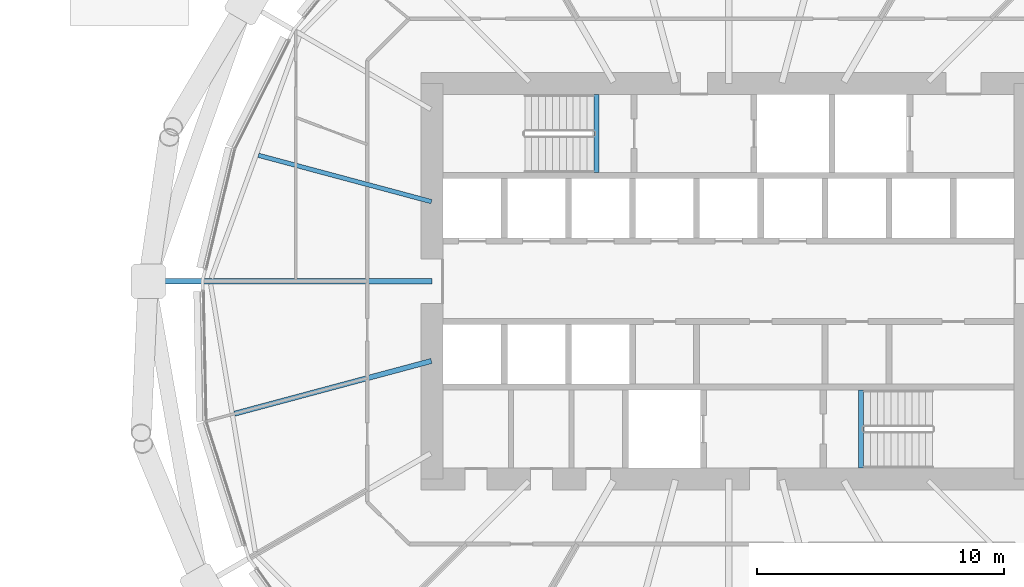
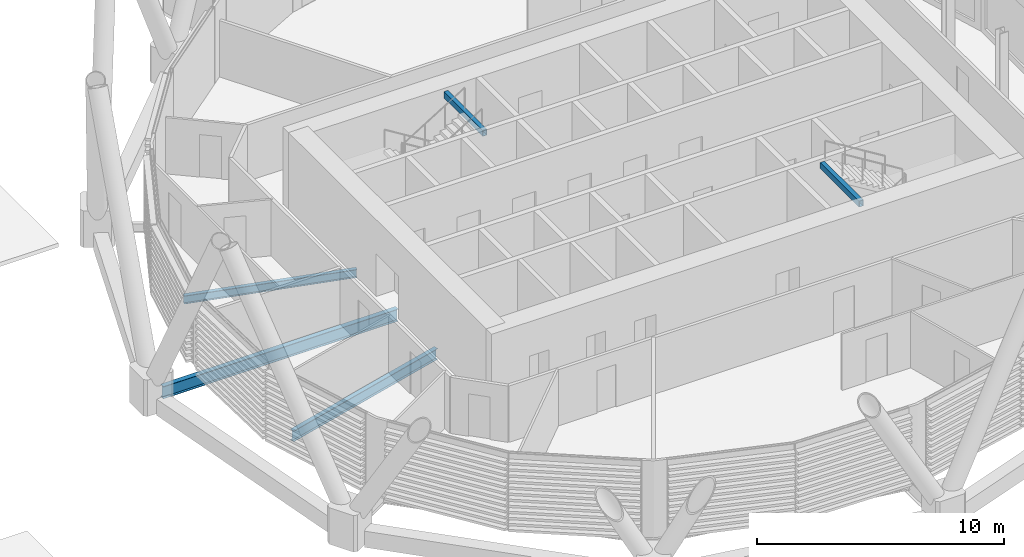
# One storey, part 16 of 34: 5 beams.
"""IFC4 building model written with IfcOpenShell, lengths in metres."""

from ifc_helpers import new_model, si_unit, direction, frame, origin, origin_2d, place, context, subcontext, project, spatial, hollow_rectangle, i_section, extrude, material, material_profile, profile_set, type_object, element, save


model = new_model("IFC4")

# Units and contexts
model_context = context("Model", 3, precision=1e-05, world=origin(), true_north=direction((0.0, 1.0)))
body_context = subcontext(model_context, "Body", "Model", "MODEL_VIEW")
ifc_project = project(units=[si_unit("LENGTHUNIT", "METRE"), si_unit("AREAUNIT", "SQUARE_METRE"), si_unit("VOLUMEUNIT", "CUBIC_METRE"), si_unit("PLANEANGLEUNIT", "RADIAN"), si_unit("MASSUNIT", "GRAM", prefix="KILO")], contexts=[model_context])

# Site, building, storey
site_placement = place(None, origin())
site = spatial("IfcSite", under=ifc_project, at=site_placement, CompositionType="ELEMENT")
building_placement = place(site_placement, origin())
building = spatial("IfcBuilding", under=site, at=building_placement, Name="Rimbun Link Towers", CompositionType="ELEMENT")
storey_placement = place(building_placement, frame((0.0, 0.0, 41.39990234375)))
storey = spatial("IfcBuildingStorey", under=building, at=storey_placement, Name="L09", CompositionType="ELEMENT", Elevation=41.39990234375)

# Beams
ifc_material_1 = material(Name="Steel S355J2", Category="steel")
ifc_material_profile_1 = material_profile(ifc_material_1, hollow_rectangle(XDim=0.199951171875, YDim=0.300048828125, WallThickness=0.011962890625, at=origin_2d()), Name="BOX 300x200x12")
ifc_profile_set_1 = profile_set([ifc_material_profile_1], Name="Steel S355J2")
beam_type_1 = type_object("IfcBeamType", Name="Stair trimmer beam BOX 300x200x12", PredefinedType="BEAM", material=ifc_profile_set_1)
for number, where, z_axis, x_axis, name in (
    (1, (26.39990234375, 7.550048828125, 3.489990234375), (0.0, -1.0, 0.0), (1.0, 0.0, 0.0), "L09 ST3 stair beam 1"),
    (2, (37.10009765625, -7.550048828125, 3.489990234375), (0.0, 1.0, 0.0), (-1.0, 0.0, 0.0), "L09 ST4 stair beam 1"),
):
    element("IfcBeam", number, at=place(storey_placement, frame(where, z_axis=z_axis, x_axis=x_axis)), inside=storey, type_object=beam_type_1, Name=name, PredefinedType="BEAM", context=body_context, shape_type="SweptSolid", body=[
        extrude(hollow_rectangle(XDim=0.199951171875, YDim=0.300048828125, WallThickness=0.011962890625, at=origin_2d()), origin(), (0.0, 0.0, 1.0), 3.150146484375),
    ])
ifc_material_2 = material(Name="Steel S355J2", Category="steel")
ifc_material_profile_2 = material_profile(ifc_material_2, i_section(OverallWidth=0.177978515625, OverallDepth=0.406494140625, WebThickness=0.0078125, FlangeThickness=0.0126953125, at=origin_2d()), Name="UB 406x178x60")
ifc_profile_set_2 = profile_set([ifc_material_profile_2], Name="Steel S355J2")
beam_type_2 = type_object("IfcBeamType", Name="UB 406x178x60", PredefinedType="BEAM", material=ifc_profile_set_2)
beam_1_placement = place(storey_placement, frame((19.72607421875, 3.2216796875, -0.363037109375), z_axis=(-0.965919925286, 0.258841066943, 0.0), x_axis=(-0.258841066943, -0.965919925286, 0.0)))
element("IfcBeam", 3, at=beam_1_placement, inside=storey, type_object=beam_type_2, Name="Radial beam T2 L09 08", PredefinedType="BEAM", context=body_context, shape_type="SweptSolid", body=[
    extrude(i_section(OverallWidth=0.177978515625, OverallDepth=0.406494140625, WebThickness=0.0078125, FlangeThickness=0.0126953125, at=origin_2d()), origin(), (0.0, 0.0, 1.0), 7.24560546875),
])
ifc_material_3 = material(Name="Steel S355J2", Category="steel")
ifc_material_profile_3 = material_profile(ifc_material_3, i_section(OverallWidth=0.209228515625, OverallDepth=0.533203125, WebThickness=0.010009765625, FlangeThickness=0.015625, at=origin_2d()), Name="UB 533x210x92")
ifc_profile_set_3 = profile_set([ifc_material_profile_3], Name="Steel S355J2")
beam_type_3 = type_object("IfcBeamType", Name="UB 533x210x92", PredefinedType="BEAM", material=ifc_profile_set_3)
beam_2_placement = place(storey_placement, frame((19.721923828125, -3.222900390625, -0.426513671875), z_axis=(-0.965929547306, -0.258805157678, 0.0), x_axis=(0.258805157678, -0.965929547306, 0.0)))
element("IfcBeam", 4, at=beam_2_placement, inside=storey, type_object=beam_type_3, Name="Radial beam T2 L09 10", PredefinedType="BEAM", context=body_context, shape_type="SweptSolid", body=[
    extrude(i_section(OverallWidth=0.209228515625, OverallDepth=0.533203125, WebThickness=0.010009765625, FlangeThickness=0.015625, at=origin_2d()), origin(), (0.0, 0.0, 1.0), 8.244873046875),
])
ifc_material_4 = material(Name="Steel S355J2", Category="steel")
ifc_material_profile_4 = material_profile(ifc_material_4, i_section(OverallWidth=0.2275390625, OverallDepth=0.6025390625, WebThickness=0.010498046875, FlangeThickness=0.014892578125, at=origin_2d()), Name="UB 610x229x101")
ifc_profile_set_4 = profile_set([ifc_material_profile_4], Name="Steel S355J2")
beam_type_4 = type_object("IfcBeamType", Name="UB 610x229x101", PredefinedType="BEAM", material=ifc_profile_set_4)
beam_3_placement = place(storey_placement, frame((19.7490234375, 0.0, -0.461181640625), z_axis=(-1.0, 0.0, 0.0), x_axis=(0.0, -1.0, 0.0)))
element("IfcBeam", 5, at=beam_3_placement, inside=storey, type_object=beam_type_4, Name="Radial beam T2 L09 09", PredefinedType="BEAM", context=body_context, shape_type="SweptSolid", body=[
    extrude(i_section(OverallWidth=0.2275390625, OverallDepth=0.6025390625, WebThickness=0.010498046875, FlangeThickness=0.014892578125, at=origin_2d()), origin(), (0.0, 0.0, 1.0), 10.98095703125),
])

save(model, "model.ifc")
